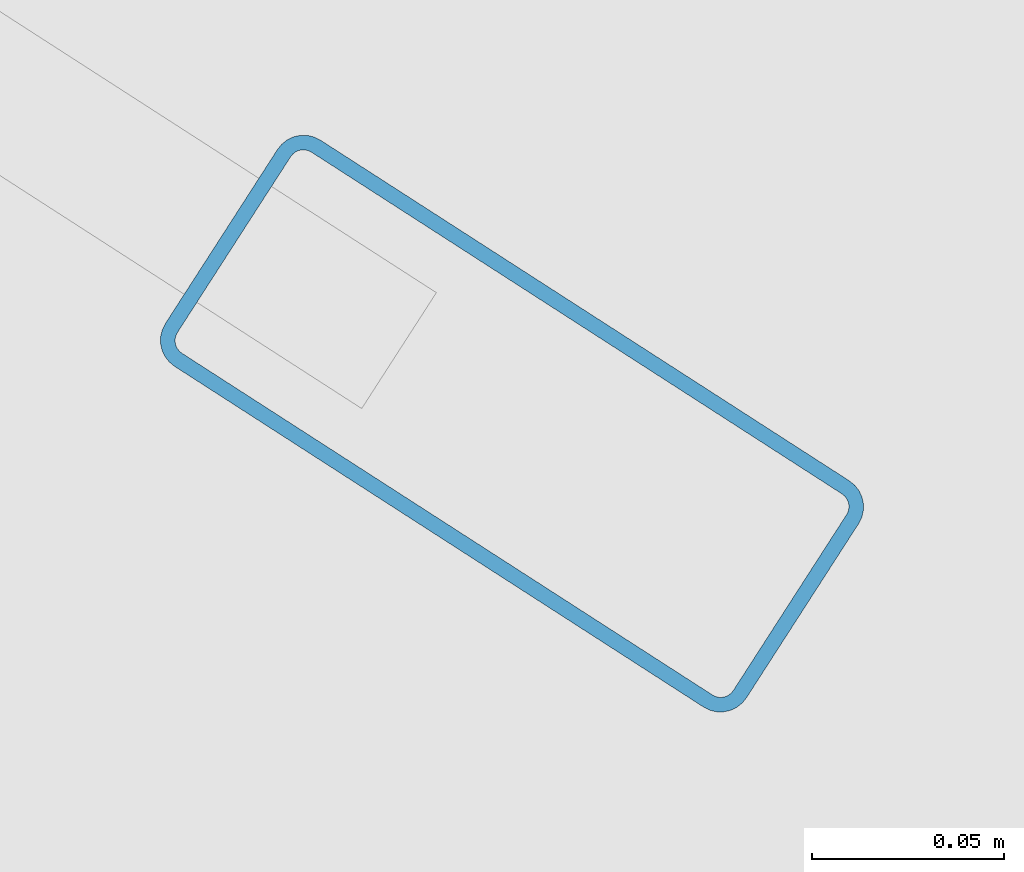
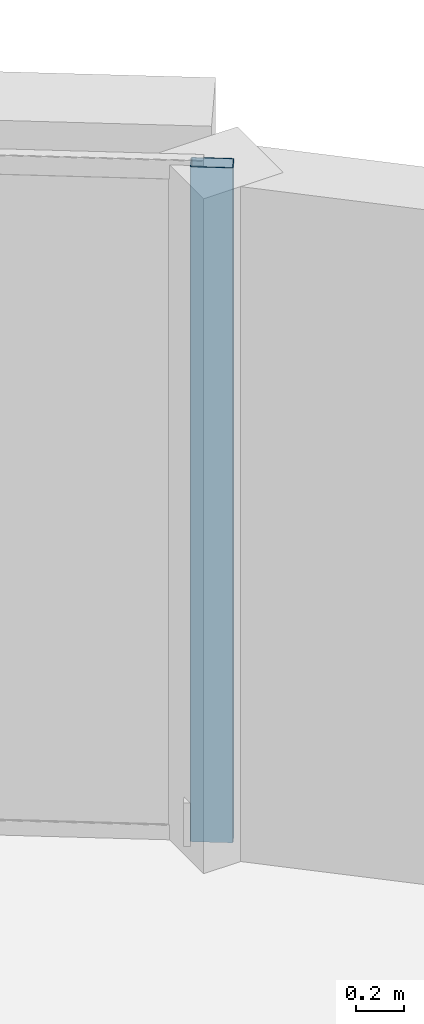
# One storey, part 6 of 16: 1 member, 1 element without a shape of its own.
"""IFC4 building model written with IfcOpenShell, lengths in metres."""

from ifc_helpers import new_model, si_unit, direction, frame, origin, origin_2d, place, context, subcontext, project, spatial, hollow_rectangle, extrude, material, layer, layer_set, material_profile, profile_set, type_object, element, aggregate, save


model = new_model("IFC4")

# Units and contexts
model_context = context("Model", 3, precision=1e-05, world=origin(), true_north=direction((0.0, 1.0)))
body_context = subcontext(model_context, "Body", "Model", "MODEL_VIEW")
ifc_project = project(units=[si_unit("LENGTHUNIT", "METRE"), si_unit("AREAUNIT", "SQUARE_METRE"), si_unit("VOLUMEUNIT", "CUBIC_METRE"), si_unit("PLANEANGLEUNIT", "RADIAN"), si_unit("MASSUNIT", "GRAM", prefix="KILO")], contexts=[model_context])

# Site, building, storey
site_placement = place(None, origin())
site = spatial("IfcSite", under=ifc_project, at=site_placement, CompositionType="ELEMENT")
building_placement = place(site_placement, origin())
building = spatial("IfcBuilding", under=site, at=building_placement, Name="An Khanh Terracotta Commons", CompositionType="ELEMENT")
storey_placement = place(building_placement, frame((0.0, 0.0, 151.0)))
storey = spatial("IfcBuildingStorey", under=building, at=storey_placement, Name="L39", CompositionType="ELEMENT", Elevation=151.0)

# Curtain wall, member
ifc_material = material(Name="Anodised Aluminium 6063-T6", Category="aluminium")
ifc_layer = layer(ifc_material, 0.2099609375, Name="Anodised Aluminium 6063-T6")
ifc_layer_set = layer_set([ifc_layer], Name="Anodised Aluminium 6063-T6")
curtain_wall_type = type_object("IfcCurtainWallType", Name="CW-SYS-03", PredefinedType="USERDEFINED", material=ifc_layer_set)
curtain_wall_placement = place(storey_placement, origin())
curtain_wall = element("IfcCurtainWall", 1, at=curtain_wall_placement, inside=storey, type_object=curtain_wall_type, Name="L39 CW-03 Unitised Curtain Wall CW-L39-16", ObjectType="UNITISED CURTAIN WALL", PredefinedType="USERDEFINED")
ifc_material_profile = material_profile(ifc_material, hollow_rectangle(XDim=0.070068359375, YDim=0.179931640625, WallThickness=0.00390625, InnerFilletRadius=0.00390625, OuterFilletRadius=0.008056640625, at=origin_2d()), Name="RHS180x70x4")
ifc_profile_set = profile_set([ifc_material_profile], Name="Anodised Aluminium 6063-T6")
member_type = type_object("IfcMemberType", Name="CWM-RHS180x70x4", PredefinedType="MULLION", material=ifc_profile_set)
member_placement = place(storey_placement, frame((60.448486328125, 35.843017578125, 0.0), z_axis=(0.0, 0.0, 1.0), x_axis=(-0.541497931062, -0.840702081986, 0.0)))
member = element("IfcMember", 2, at=member_placement, type_object=member_type, Name="CW-03 mullion 1", PredefinedType="MULLION", context=body_context, shape_type="SweptSolid", body=[
    extrude(hollow_rectangle(XDim=0.070068359375, YDim=0.179931640625, WallThickness=0.00390625, InnerFilletRadius=0.00390625, OuterFilletRadius=0.008056640625, at=origin_2d()), origin(), (0.0, 0.0, 1.0), 3.39990234375),
])
aggregate(curtain_wall, [member])

save(model, "model.ifc")
